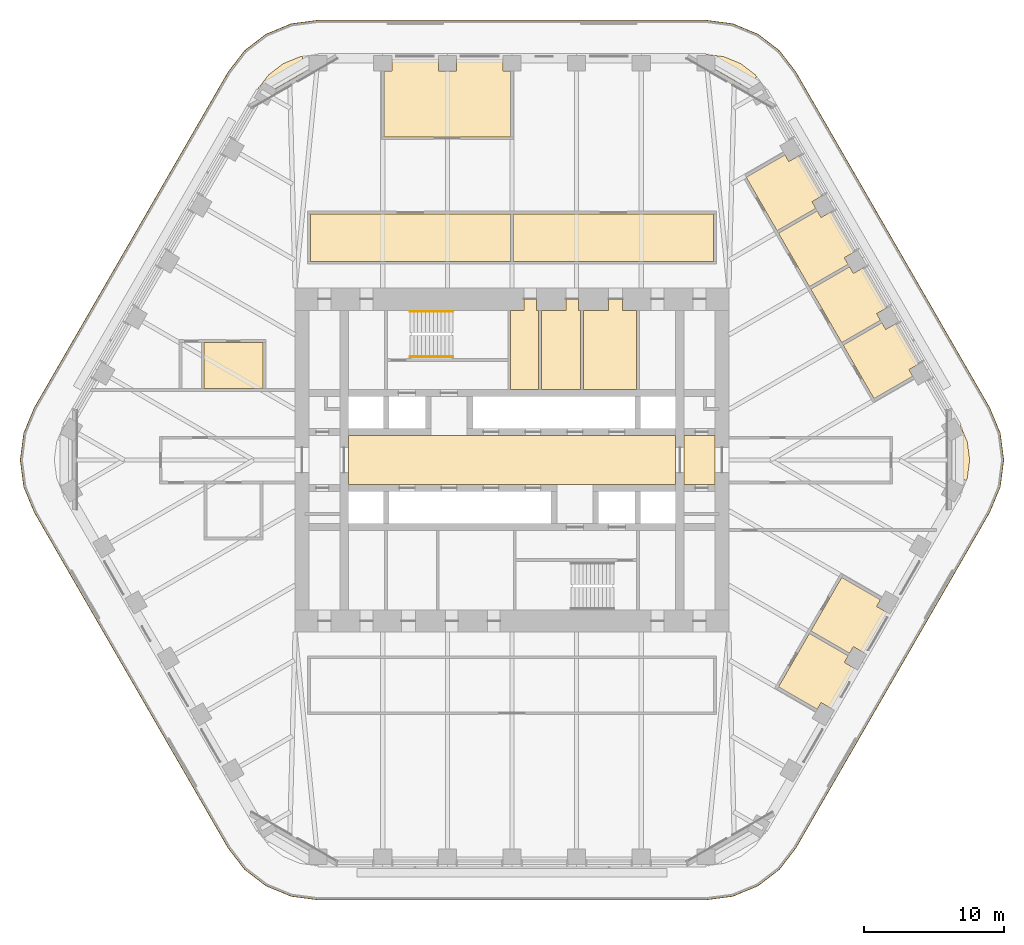
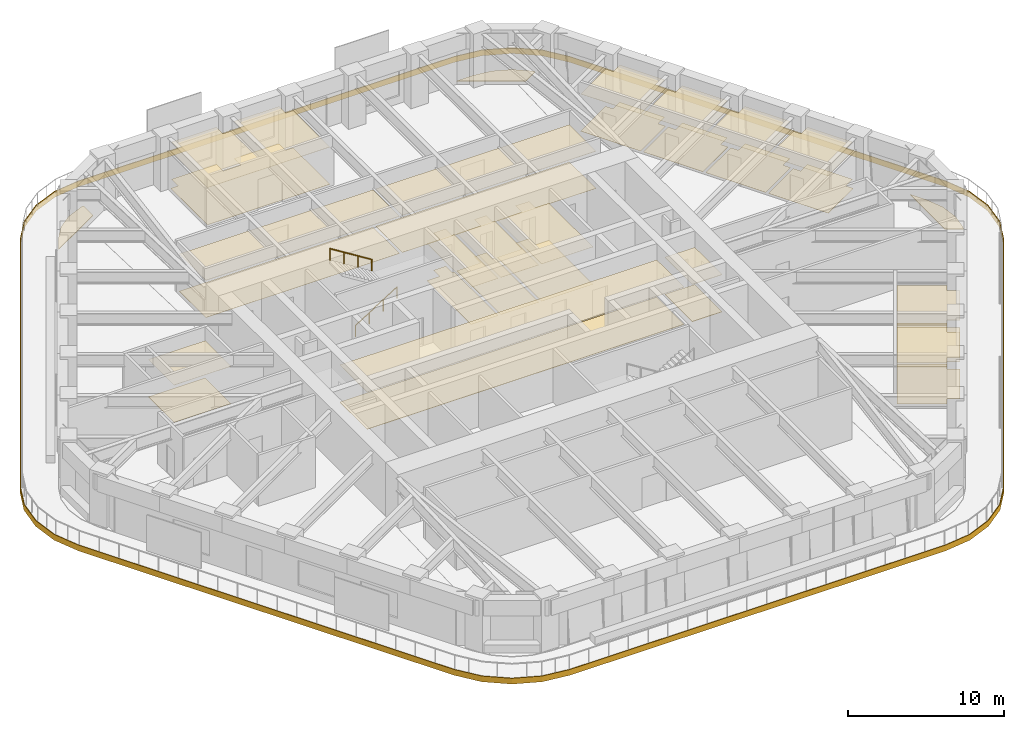
# One storey, part 19 of 20: 16 coverings, 2 railings.
"""IFC4 building model written with IfcOpenShell, lengths in metres."""

import ifcopenshell
import ifcopenshell.guid

model = None  # the IFC model being written
_history = None  # IfcOwnerHistory: only IFC2X3 demands one
_inside = {}  # id of a spatial element -> (the spatial element, [elements in it])
_under = {}  # id of a project, library or spatial element -> (it, [spatial elements below it])
_declared = {}  # id of a project -> (the project, [libraries it declares])
_typed = {}  # id of a type object -> (the type object, [elements of that type])
_made_of = {}  # id of a material, layer set ... -> (it, [elements and type objects made of it])


def new_model(schema):
    """Start an empty IFC model of exactly this schema.

    Asked for "IFC4X3", IfcOpenShell would pick the latest addendum, in which some entities
    have other attributes; the version numbers below select the first issue.
    IFC2X3 requires an IfcOwnerHistory on every rooted entity: one is made here for all.
    """
    global model, _history
    if schema == "IFC4X3":
        model = ifcopenshell.file(schema_version=(4, 3, 0, 0))
    else:
        model = ifcopenshell.file(schema=schema)
    _inside.clear()
    _under.clear()
    _declared.clear()
    _typed.clear()
    _made_of.clear()
    _history = None
    if model.schema == "IFC2X3":
        org = make("IfcOrganization", Name="unknown")
        user = make(
            "IfcPersonAndOrganization",
            ThePerson=make("IfcPerson", FamilyName="unknown"),
            TheOrganization=org,
        )
        app = make(
            "IfcApplication",
            ApplicationDeveloper=org,
            Version="unknown",
            ApplicationFullName="unknown",
            ApplicationIdentifier="unknown",
        )
        _history = make(
            "IfcOwnerHistory",
            OwningUser=user,
            OwningApplication=app,
            ChangeAction="ADDED",
            CreationDate=0,
        )
    return model


def make(cls, **values):
    """One entity of the class cls with the attributes given. An attribute that is None is left unset."""
    return model.create_entity(
        cls, **{name: value for name, value in values.items() if value is not None}
    )


def rooted(cls, **values):
    """An entity with a GlobalId (a new one), such as an element, a storey or a relation."""
    return make(cls, GlobalId=ifcopenshell.guid.new(), OwnerHistory=_history, **values)


def si_unit(unit_type, name, prefix=None):
    """IfcSIUnit, for example si_unit("LENGTHUNIT", "METRE", prefix="MILLI")."""
    return make("IfcSIUnit", UnitType=unit_type, Prefix=prefix, Name=name)


def assignment(units):
    """IfcUnitAssignment: the units of a project."""
    return None if units is None else make("IfcUnitAssignment", Units=units)


def point(xyz):
    """IfcCartesianPoint."""
    return None if xyz is None else make("IfcCartesianPoint", Coordinates=xyz)


def direction(xyz):
    """IfcDirection."""
    return None if xyz is None else make("IfcDirection", DirectionRatios=xyz)


def frame(location, z_axis=None, x_axis=None):
    """IfcAxis2Placement3D, a coordinate frame: its origin and axes. An axis left out is left unset."""
    return make(
        "IfcAxis2Placement3D",
        Location=point(location),
        Axis=direction(z_axis),
        RefDirection=direction(x_axis),
    )


def frame_2d(location, x_axis=None):
    """IfcAxis2Placement2D, a coordinate frame in the plane: its origin and x axis."""
    return make(
        "IfcAxis2Placement2D", Location=point(location), RefDirection=direction(x_axis)
    )


def origin():
    """The frame at (0, 0, 0) with its axes left unset."""
    return frame((0.0, 0.0, 0.0))


def origin_2d():
    """The frame at (0, 0) in the plane with its x axis left unset."""
    return frame_2d((0.0, 0.0))


def place(relative_to, where):
    """IfcLocalPlacement: puts the frame where relative to a parent placement (None: the world)."""
    return make(
        "IfcLocalPlacement", PlacementRelTo=relative_to, RelativePlacement=where
    )


def context(
    kind, dimensions, precision=None, world=None, true_north=None, identifier=None
):
    """IfcGeometricRepresentationContext, for example the 3D "Model" context."""
    return make(
        "IfcGeometricRepresentationContext",
        ContextIdentifier=identifier,
        ContextType=kind,
        CoordinateSpaceDimension=dimensions,
        Precision=precision,
        WorldCoordinateSystem=world,
        TrueNorth=true_north,
    )


def subcontext(parent, identifier, kind, view, scale=None):
    """IfcGeometricRepresentationSubContext, for example "Body" below "Model"."""
    return make(
        "IfcGeometricRepresentationSubContext",
        ContextIdentifier=identifier,
        ContextType=kind,
        ParentContext=parent,
        TargetScale=scale,
        TargetView=view,
    )


def project(units=None, contexts=None):
    """IfcProject with its units and contexts."""
    return rooted(
        "IfcProject",
        Name="project",
        RepresentationContexts=contexts,
        UnitsInContext=assignment(units),
    )


def spatial(cls, under=None, at=None, **own):
    """A site, building, storey or space (cls), placed at a placement, below another one or the project."""
    s = rooted(cls, ObjectPlacement=at, **own)
    if under is not None:
        _under.setdefault(under.id(), (under, []))[1].append(s)
    return s


def polyline(points):
    """IfcPolyline through the points."""
    return make("IfcPolyline", Points=[point(p) for p in points])


def profile(cls, at=None, kind="AREA", **sizes):
    """A parametric profile (cls). Its sizes go by their IFC names, for example OverallWidth=200.0."""
    return make(cls, ProfileType=kind, Position=at, **sizes)


def circle(**sizes):
    """IfcCircleProfileDef."""
    return profile("IfcCircleProfileDef", **sizes)


def outline(outer, holes=None, kind="AREA"):
    """IfcArbitraryClosedProfileDef: a profile drawn as a closed curve; with holes, ...WithVoids."""
    if holes is None:
        return make("IfcArbitraryClosedProfileDef", ProfileType=kind, OuterCurve=outer)
    return make(
        "IfcArbitraryProfileDefWithVoids",
        ProfileType=kind,
        OuterCurve=outer,
        InnerCurves=holes,
    )


def extrude(swept, where, along, depth):
    """IfcExtrudedAreaSolid: the profile swept, set in the frame where, extruded along a direction by depth."""
    return make(
        "IfcExtrudedAreaSolid",
        SweptArea=swept,
        Position=where,
        ExtrudedDirection=direction(along),
        Depth=depth,
    )


def shape(context_of_items, identifier, shape_type, items):
    """IfcShapeRepresentation: the items that make up one representation, for example the "Body"."""
    return make(
        "IfcShapeRepresentation",
        ContextOfItems=context_of_items,
        RepresentationIdentifier=identifier,
        RepresentationType=shape_type,
        Items=items,
    )


def material(Name=None, Category=None):
    """IfcMaterial."""
    return make("IfcMaterial", Name=Name, Category=Category)


def layer(
    of_material, thickness, ventilated=None, Name=None, Category=None, Priority=None
):
    """IfcMaterialLayer: one layer of a wall or slab, of a material (None: an air gap)."""
    return make(
        "IfcMaterialLayer",
        Material=of_material,
        LayerThickness=thickness,
        IsVentilated=ventilated,
        Name=Name,
        Category=Category,
        Priority=Priority,
    )


def layer_set(layers, Name=None):
    """IfcMaterialLayerSet."""
    return make("IfcMaterialLayerSet", MaterialLayers=layers, LayerSetName=Name)


def made_of(thing, what):
    """Note that an element or type object is made of a material, layer set ...; save() writes the relation."""
    if what is not None:
        _made_of.setdefault(what.id(), (what, []))[1].append(thing)
    return thing


def type_object(cls, material=None, **own):
    """A type object (cls), such as IfcWallType, which elements share."""
    return made_of(rooted(cls, **own), material)


def element(
    cls,
    number,
    at=None,
    inside=None,
    cuts=None,
    type_object=None,
    material=None,
    context=None,
    identifier="Body",
    shape_type=None,
    held_by="IfcProductDefinitionShape",
    body=None,
    shapes=None,
    **own,
):
    """One element of the class cls, such as IfcWall. Its Tag is "e" and its number.

    at: its placement. inside: the storey or other place that contains it. cuts: it is an
    opening in that element (IfcRelVoidsElement). A single representation is given by context,
    identifier, shape_type and body (its items); several are given by shapes. held_by: the class
    of the entity that holds the representations. save() writes the other relations.
    """
    e = rooted(cls, Tag="e%d" % number, ObjectPlacement=at, **own)
    if body is not None:
        shapes = [shape(context, identifier, shape_type, body)]
    if shapes is not None:
        e.Representation = make(held_by, Representations=shapes)
    if inside is not None:
        _inside.setdefault(inside.id(), (inside, []))[1].append(e)
    if cuts is not None:
        rooted(
            "IfcRelVoidsElement", RelatingBuildingElement=cuts, RelatedOpeningElement=e
        )
    if type_object is not None:
        _typed.setdefault(type_object.id(), (type_object, []))[1].append(e)
    return made_of(e, material)


def aggregate(whole, parts):
    """IfcRelAggregates: a whole, such as a stair, and the parts it consists of."""
    return rooted("IfcRelAggregates", RelatingObject=whole, RelatedObjects=parts)


def save(model, path):
    """Write the relations noted so far, then the file.

    IfcRelAggregates (storeys below a building ...), IfcRelContainedInSpatialStructure (elements
    in a storey), IfcRelDefinesByType, IfcRelAssociatesMaterial and IfcRelDeclares: one each for
    every whole, place, type object, material and project.
    """
    for whole, parts in _under.values():
        aggregate(whole, parts)
    for where, things in _inside.values():
        rooted(
            "IfcRelContainedInSpatialStructure",
            RelatedElements=things,
            RelatingStructure=where,
        )
    for kind, things in _typed.values():
        rooted("IfcRelDefinesByType", RelatedObjects=things, RelatingType=kind)
    for what, things in _made_of.values():
        rooted("IfcRelAssociatesMaterial", RelatedObjects=things, RelatingMaterial=what)
    for by, libraries in _declared.values():
        rooted("IfcRelDeclares", RelatingContext=by, RelatedDefinitions=libraries)
    model.write(path)


model = new_model("IFC4")

# Units and contexts
model_context = context("Model", 3, precision=1e-05, world=origin(), true_north=direction((0.0, 1.0)))
body_context = subcontext(model_context, "Body", "Model", "MODEL_VIEW")
ifc_project = project(units=[si_unit("LENGTHUNIT", "METRE"), si_unit("AREAUNIT", "SQUARE_METRE"), si_unit("VOLUMEUNIT", "CUBIC_METRE"), si_unit("PLANEANGLEUNIT", "RADIAN"), si_unit("MASSUNIT", "GRAM", prefix="KILO")], contexts=[model_context])

# Site, building, storey
site_placement = place(None, origin())
site = spatial("IfcSite", under=ifc_project, at=site_placement, CompositionType="ELEMENT")
building_placement = place(site_placement, origin())
building = spatial("IfcBuilding", under=site, at=building_placement, Name="Tarfa Lantern Tower", CompositionType="ELEMENT")
storey_placement = place(building_placement, frame((0.0, 0.0, 240.699951171875)))
storey = spatial("IfcBuildingStorey", under=building, at=storey_placement, Name="L54", CompositionType="ELEMENT", Elevation=240.699951171875)

# Coverings
ifc_material_1 = material(Name="Mineral fibre acoustic tile on suspension grid", Category="finish")
ifc_layer_1 = layer(ifc_material_1, 0.02001953125)
ifc_layer_set_1 = layer_set([ifc_layer_1], Name="CL1 ACOUSTIC TILE CEILING 20")
covering_type_1 = type_object("IfcCoveringType", Name="CL1 ACOUSTIC TILE CEILING 20", PredefinedType="CEILING", material=ifc_layer_set_1)
covering_1_placement = place(storey_placement, frame((0.0, 0.0, 2.900146484375)))
element("IfcCovering", 1, at=covering_1_placement, inside=storey, type_object=covering_type_1, Name="Ceiling L54 CL1", PredefinedType="CEILING", context=body_context, shape_type="SweptSolid", body=[
    extrude(outline(polyline([(-14.39990234375, 17.60009765625), (-0.10009765625, 17.60009765625), (-0.10009765625, 14.199951171875), (-14.39990234375, 14.199951171875), (-14.39990234375, 17.60009765625)])), origin(), (0.0, 0.0, 1.0), 0.02001953125),
    extrude(outline(polyline([(0.10009765625, 17.60009765625), (14.39990234375, 17.60009765625), (14.39990234375, 14.199951171875), (0.10009765625, 14.199951171875), (0.10009765625, 17.60009765625)])), origin(), (0.0, 0.0, 1.0), 0.02001953125),
    extrude(outline(polyline([(-0.10009765625, 23.10009765625), (-9.1376953125, 23.10009765625), (-9.1376953125, 27.800048828125), (-8.587646484375, 27.800048828125), (-8.587646484375, 28.64990234375), (-5.268798828125, 28.64990234375), (-5.268798828125, 27.800048828125), (-3.96875, 27.800048828125), (-3.96875, 28.64990234375), (-0.64990234375, 28.64990234375), (-0.64990234375, 27.800048828125), (-0.10009765625, 27.800048828125), (-0.10009765625, 23.10009765625)])), origin(), (0.0, 0.0, 1.0), 0.02001953125),
    extrude(outline(polyline([(23.66357421875, 8.21337890625), (26.434814453125, 9.8134765625), (26.7099609375, 9.337158203125), (27.446044921875, 9.761962890625), (29.10546875, 6.887939453125), (28.369384765625, 6.462890625), (28.644287109375, 5.986572265625), (25.873046875, 4.38671875), (23.66357421875, 8.21337890625)])), origin(), (0.0, 0.0, 1.0), 0.02001953125),
    extrude(outline(polyline([(21.354248046875, 12.21337890625), (24.12548828125, 13.8134765625), (24.400390625, 13.337158203125), (25.13671875, 13.761962890625), (26.796142578125, 10.887939453125), (26.059814453125, 10.462890625), (26.3349609375, 9.986572265625), (23.563720703125, 8.38671875), (21.354248046875, 12.21337890625)])), origin(), (0.0, 0.0, 1.0), 0.02001953125),
    extrude(outline(polyline([(19.044921875, 16.21337890625), (21.816162109375, 17.8134765625), (22.091064453125, 17.337158203125), (22.8271484375, 17.761962890625), (24.486572265625, 14.887939453125), (23.75048828125, 14.462890625), (24.025390625, 13.986572265625), (21.254150390625, 12.38671875), (19.044921875, 16.21337890625)])), origin(), (0.0, 0.0, 1.0), 0.02001953125),
    extrude(outline(polyline([(16.7353515625, 20.21337890625), (19.506591796875, 21.8134765625), (19.78173828125, 21.337158203125), (20.517822265625, 21.761962890625), (22.17724609375, 18.887939453125), (21.441162109375, 18.462890625), (21.716064453125, 17.986572265625), (18.94482421875, 16.38671875), (16.7353515625, 20.21337890625)])), origin(), (0.0, 0.0, 1.0), 0.02001953125),
    extrude(outline(polyline([(21.254150390625, -12.38671875), (24.025390625, -13.986572265625), (23.75048828125, -14.462890625), (24.486572265625, -14.887939453125), (22.8271484375, -17.761962890625), (22.091064453125, -17.337158203125), (21.816162109375, -17.8134765625), (19.044921875, -16.21337890625), (21.254150390625, -12.38671875)])), origin(), (0.0, 0.0, 1.0), 0.02001953125),
    extrude(outline(polyline([(23.563720703125, -8.38671875), (26.3349609375, -9.986572265625), (26.059814453125, -10.462890625), (26.796142578125, -10.887939453125), (25.13671875, -13.761962890625), (24.400390625, -13.337158203125), (24.12548828125, -13.8134765625), (21.354248046875, -12.21337890625), (23.563720703125, -8.38671875)])), origin(), (0.0, 0.0, 1.0), 0.02001953125),
    extrude(outline(polyline([(-21.995849609375, 8.39990234375), (-17.7958984375, 8.39990234375), (-17.7958984375, 5.10009765625), (-21.995849609375, 5.10009765625), (-21.995849609375, 8.39990234375)])), origin(), (0.0, 0.0, 1.0), 0.02001953125),
])
ifc_material_2 = material(Name="Moisture-resistant plasterboard", Category="finish")
ifc_layer_2 = layer(ifc_material_2, 0.014892578125)
ifc_layer_set_2 = layer_set([ifc_layer_2], Name="CL2 MOISTURE-RESISTANT PLASTERBOARD CEILING 15")
covering_type_2 = type_object("IfcCoveringType", Name="CL2 MOISTURE-RESISTANT PLASTERBOARD CEILING 15", PredefinedType="CEILING", material=ifc_layer_set_2)
covering_2_placement = place(storey_placement, frame((0.0, 0.0, 2.900146484375)))
element("IfcCovering", 2, at=covering_2_placement, inside=storey, type_object=covering_type_2, Name="Ceiling L54-07", PredefinedType="CEILING", context=body_context, shape_type="SweptSolid", body=[
    extrude(outline(polyline([(0.85009765625, 10.699951171875), (-0.10009765625, 10.699951171875), (-0.10009765625, 5.050048828125), (1.89990234375, 5.050048828125), (1.89990234375, 10.699951171875), (1.75, 10.699951171875), (1.75, 11.5), (1.75, 11.5), (0.85009765625, 11.5), (0.85009765625, 10.699951171875)])), origin(), (0.0, 0.0, 1.0), 0.014892578125),
])
covering_3_placement = place(storey_placement, frame((0.0, 0.0, 2.900146484375)))
element("IfcCovering", 3, at=covering_3_placement, inside=storey, type_object=covering_type_2, Name="Ceiling L54-08", PredefinedType="CEILING", context=body_context, shape_type="SweptSolid", body=[
    extrude(outline(polyline([(2.10009765625, 5.050048828125), (4.89990234375, 5.050048828125), (4.89990234375, 10.699951171875), (4.75, 10.699951171875), (4.75, 11.5), (3.85009765625, 11.5), (3.85009765625, 10.699951171875), (2.10009765625, 10.699951171875), (2.10009765625, 5.050048828125)])), origin(), (0.0, 0.0, 1.0), 0.014892578125),
])
covering_4_placement = place(storey_placement, frame((0.0, 0.0, 2.900146484375)))
element("IfcCovering", 4, at=covering_4_placement, inside=storey, type_object=covering_type_2, Name="Ceiling L54-09", PredefinedType="CEILING", context=body_context, shape_type="SweptSolid", body=[
    extrude(outline(polyline([(5.10009765625, 5.050048828125), (8.89990234375, 5.050048828125), (8.89990234375, 10.699951171875), (7.89990234375, 10.699951171875), (7.89990234375, 11.5), (6.89990234375, 11.5), (6.89990234375, 10.699951171875), (5.10009765625, 10.699951171875), (5.10009765625, 5.050048828125)])), origin(), (0.0, 0.0, 1.0), 0.014892578125),
])
ifc_material_3 = material(Name="Powder-coated aluminium panel", Category="aluminium")
ifc_layer_3 = layer(ifc_material_3, 0.030029296875)
ifc_layer_set_3 = layer_set([ifc_layer_3], Name="CL3 METAL PANEL CEILING 30")
covering_type_3 = type_object("IfcCoveringType", Name="CL3 METAL PANEL CEILING 30", PredefinedType="CEILING", material=ifc_layer_set_3)
covering_5_placement = place(storey_placement, frame((0.0, 0.0, 2.900146484375)))
element("IfcCovering", 5, at=covering_5_placement, inside=storey, type_object=covering_type_3, Name="Ceiling L54-02", PredefinedType="CEILING", context=body_context, shape_type="SweptSolid", body=[
    extrude(outline(polyline([(-11.699951171875, -1.75), (11.699951171875, -1.75), (11.699951171875, 1.75), (-11.699951171875, 1.75), (-11.699951171875, -1.75)])), origin(), (0.0, 0.0, 1.0), 0.02978515625),
])
covering_6_placement = place(storey_placement, frame((0.0, 0.0, 2.900146484375)))
element("IfcCovering", 6, at=covering_6_placement, inside=storey, type_object=covering_type_3, Name="Ceiling L54-03", PredefinedType="CEILING", context=body_context, shape_type="SweptSolid", body=[
    extrude(outline(polyline([(12.300048828125, -1.75), (14.5, -1.75), (14.5, 1.75), (12.300048828125, 1.75), (12.300048828125, -1.75)])), origin(), (0.0, 0.0, 1.0), 0.02978515625),
])
ifc_material_4 = material(Name="Nylon carpet tile", Category="finish")
ifc_layer_4 = layer(ifc_material_4, 0.010009765625)
ifc_layer_set_4 = layer_set([ifc_layer_4], Name="FL1 CARPET TILE 10")
covering_type_4 = type_object("IfcCoveringType", Name="FL1 CARPET TILE 10", PredefinedType="FLOORING", material=ifc_layer_set_4)
covering_7_placement = place(storey_placement, origin())
element("IfcCovering", 7, at=covering_7_placement, inside=storey, type_object=covering_type_4, Name="Floor finish L54 FL1", PredefinedType="FLOORING", context=body_context, shape_type="SweptSolid", body=[
    extrude(outline(polyline([(-14.39990234375, 17.60009765625), (-0.10009765625, 17.60009765625), (-0.10009765625, 14.199951171875), (-14.39990234375, 14.199951171875), (-14.39990234375, 17.60009765625)])), origin(), (0.0, 0.0, 1.0), 0.010009765625),
    extrude(outline(polyline([(0.10009765625, 17.60009765625), (14.39990234375, 17.60009765625), (14.39990234375, 14.199951171875), (0.10009765625, 14.199951171875), (0.10009765625, 17.60009765625)])), origin(), (0.0, 0.0, 1.0), 0.010009765625),
    extrude(outline(polyline([(-0.10009765625, 23.10009765625), (-9.1376953125, 23.10009765625), (-9.1376953125, 27.800048828125), (-8.587646484375, 27.800048828125), (-8.587646484375, 28.64990234375), (-5.268798828125, 28.64990234375), (-5.268798828125, 27.800048828125), (-3.96875, 27.800048828125), (-3.96875, 28.64990234375), (-0.64990234375, 28.64990234375), (-0.64990234375, 27.800048828125), (-0.10009765625, 27.800048828125), (-0.10009765625, 23.10009765625)])), origin(), (0.0, 0.0, 1.0), 0.010009765625),
    extrude(outline(polyline([(23.66357421875, 8.21337890625), (26.434814453125, 9.8134765625), (26.7099609375, 9.337158203125), (27.446044921875, 9.761962890625), (29.10546875, 6.887939453125), (28.369384765625, 6.462890625), (28.644287109375, 5.986572265625), (25.873046875, 4.38671875), (23.66357421875, 8.21337890625)])), origin(), (0.0, 0.0, 1.0), 0.010009765625),
    extrude(outline(polyline([(21.354248046875, 12.21337890625), (24.12548828125, 13.8134765625), (24.400390625, 13.337158203125), (25.13671875, 13.761962890625), (26.796142578125, 10.887939453125), (26.059814453125, 10.462890625), (26.3349609375, 9.986572265625), (23.563720703125, 8.38671875), (21.354248046875, 12.21337890625)])), origin(), (0.0, 0.0, 1.0), 0.010009765625),
    extrude(outline(polyline([(19.044921875, 16.21337890625), (21.816162109375, 17.8134765625), (22.091064453125, 17.337158203125), (22.8271484375, 17.761962890625), (24.486572265625, 14.887939453125), (23.75048828125, 14.462890625), (24.025390625, 13.986572265625), (21.254150390625, 12.38671875), (19.044921875, 16.21337890625)])), origin(), (0.0, 0.0, 1.0), 0.010009765625),
    extrude(outline(polyline([(16.7353515625, 20.21337890625), (19.506591796875, 21.8134765625), (19.78173828125, 21.337158203125), (20.517822265625, 21.761962890625), (22.17724609375, 18.887939453125), (21.441162109375, 18.462890625), (21.716064453125, 17.986572265625), (18.94482421875, 16.38671875), (16.7353515625, 20.21337890625)])), origin(), (0.0, 0.0, 1.0), 0.010009765625),
    extrude(outline(polyline([(21.254150390625, -12.38671875), (24.025390625, -13.986572265625), (23.75048828125, -14.462890625), (24.486572265625, -14.887939453125), (22.8271484375, -17.761962890625), (22.091064453125, -17.337158203125), (21.816162109375, -17.8134765625), (19.044921875, -16.21337890625), (21.254150390625, -12.38671875)])), origin(), (0.0, 0.0, 1.0), 0.010009765625),
    extrude(outline(polyline([(23.563720703125, -8.38671875), (26.3349609375, -9.986572265625), (26.059814453125, -10.462890625), (26.796142578125, -10.887939453125), (25.13671875, -13.761962890625), (24.400390625, -13.337158203125), (24.12548828125, -13.8134765625), (21.354248046875, -12.21337890625), (23.563720703125, -8.38671875)])), origin(), (0.0, 0.0, 1.0), 0.010009765625),
    extrude(outline(polyline([(-21.995849609375, 8.39990234375), (-17.7958984375, 8.39990234375), (-17.7958984375, 5.10009765625), (-21.995849609375, 5.10009765625), (-21.995849609375, 8.39990234375)])), origin(), (0.0, 0.0, 1.0), 0.010009765625),
])
ifc_material_5 = material(Name="Honed limestone flooring", Category="masonry")
ifc_layer_5 = layer(ifc_material_5, 0.030029296875)
ifc_layer_set_5 = layer_set([ifc_layer_5], Name="FL2 STONE FLOORING 30")
covering_type_5 = type_object("IfcCoveringType", Name="FL2 STONE FLOORING 30", PredefinedType="FLOORING", material=ifc_layer_set_5)
covering_8_placement = place(storey_placement, origin())
element("IfcCovering", 8, at=covering_8_placement, inside=storey, type_object=covering_type_5, Name="Floor finish L54-02", PredefinedType="FLOORING", context=body_context, shape_type="SweptSolid", body=[
    extrude(outline(polyline([(-11.699951171875, -1.75), (11.699951171875, -1.75), (11.699951171875, 1.75), (-11.699951171875, 1.75), (-11.699951171875, -1.75)])), origin(), (0.0, 0.0, 1.0), 0.030029296875),
])
covering_9_placement = place(storey_placement, origin())
element("IfcCovering", 9, at=covering_9_placement, inside=storey, type_object=covering_type_5, Name="Floor finish L54-03", PredefinedType="FLOORING", context=body_context, shape_type="SweptSolid", body=[
    extrude(outline(polyline([(12.300048828125, -1.75), (14.5, -1.75), (14.5, 1.75), (12.300048828125, 1.75), (12.300048828125, -1.75)])), origin(), (0.0, 0.0, 1.0), 0.030029296875),
])
ifc_material_6 = material(Name="Porcelain floor tile", Category="finish")
ifc_layer_6 = layer(ifc_material_6, 0.011962890625)
ifc_layer_set_6 = layer_set([ifc_layer_6], Name="FL3 CERAMIC TILE 12")
covering_type_6 = type_object("IfcCoveringType", Name="FL3 CERAMIC TILE 12", PredefinedType="FLOORING", material=ifc_layer_set_6)
covering_10_placement = place(storey_placement, origin())
element("IfcCovering", 10, at=covering_10_placement, inside=storey, type_object=covering_type_6, Name="Floor finish L54-07", PredefinedType="FLOORING", context=body_context, shape_type="SweptSolid", body=[
    extrude(outline(polyline([(0.85009765625, 10.699951171875), (-0.10009765625, 10.699951171875), (-0.10009765625, 5.050048828125), (1.89990234375, 5.050048828125), (1.89990234375, 10.699951171875), (1.75, 10.699951171875), (1.75, 11.5), (1.75, 11.5), (0.85009765625, 11.5), (0.85009765625, 10.699951171875)])), origin(), (0.0, 0.0, 1.0), 0.011962890625),
])
covering_11_placement = place(storey_placement, origin())
element("IfcCovering", 11, at=covering_11_placement, inside=storey, type_object=covering_type_6, Name="Floor finish L54-08", PredefinedType="FLOORING", context=body_context, shape_type="SweptSolid", body=[
    extrude(outline(polyline([(2.10009765625, 5.050048828125), (4.89990234375, 5.050048828125), (4.89990234375, 10.699951171875), (4.75, 10.699951171875), (4.75, 11.5), (3.85009765625, 11.5), (3.85009765625, 10.699951171875), (2.10009765625, 10.699951171875), (2.10009765625, 5.050048828125)])), origin(), (0.0, 0.0, 1.0), 0.011962890625),
])
covering_12_placement = place(storey_placement, origin())
element("IfcCovering", 12, at=covering_12_placement, inside=storey, type_object=covering_type_6, Name="Floor finish L54-09", PredefinedType="FLOORING", context=body_context, shape_type="SweptSolid", body=[
    extrude(outline(polyline([(5.10009765625, 5.050048828125), (8.89990234375, 5.050048828125), (8.89990234375, 10.699951171875), (7.89990234375, 10.699951171875), (7.89990234375, 11.5), (6.89990234375, 11.5), (6.89990234375, 10.699951171875), (5.10009765625, 10.699951171875), (5.10009765625, 5.050048828125)])), origin(), (0.0, 0.0, 1.0), 0.011962890625),
])

# Railings
ifc_material_7 = material(Name="Stainless steel", Category="steel")
railing_type = type_object("IfcRailingType", Name="HR1 HANDRAIL 900", PredefinedType="HANDRAIL", material=ifc_material_7)
railing_1_placement = place(storey_placement, frame((-7.300048828125, 7.3798828125, 0.175048828125)))
element("IfcRailing", 13, at=railing_1_placement, inside=storey, type_object=railing_type, Name="Handrail 1", PredefinedType="HANDRAIL", context=body_context, shape_type="SweptSolid", body=[
    extrude(circle(Radius=0.02392578125, at=origin_2d()), frame((0.0, 0.0, 0.8759765625), z_axis=(0.847998304005, 0.0, 0.529998940003), x_axis=(0.0, 1.0, 0.0)), (0.0, 0.0, 1.0), 3.632080078125),
    extrude(circle(Radius=0.02099609375, at=origin_2d()), frame((0.0, 0.0, 0.0), z_axis=(0.0, 0.0, 1.0), x_axis=(0.0, 1.0, 0.0)), (0.0, 0.0, 1.0), 0.851806640625),
    extrude(circle(Radius=0.02099609375, at=origin_2d()), frame((1.026611328125, 0.0, 0.6416015625), z_axis=(0.0, 0.0, 1.0), x_axis=(0.0, 1.0, 0.0)), (0.0, 0.0, 1.0), 0.851806640625),
    extrude(circle(Radius=0.02099609375, at=origin_2d()), frame((2.053466796875, 0.0, 1.283447265625), z_axis=(0.0, 0.0, 1.0), x_axis=(0.0, 1.0, 0.0)), (0.0, 0.0, 1.0), 0.851806640625),
    extrude(circle(Radius=0.02099609375, at=origin_2d()), frame((3.080078125, 0.0, 1.925048828125), z_axis=(0.0, 0.0, 1.0), x_axis=(0.0, 1.0, 0.0)), (0.0, 0.0, 1.0), 0.851806640625),
])
railing_2_placement = place(storey_placement, frame((-4.219970703125, 10.6201171875, 2.275146484375)))
element("IfcRailing", 14, at=railing_2_placement, inside=storey, type_object=railing_type, Name="Handrail 2", PredefinedType="HANDRAIL", context=body_context, shape_type="SweptSolid", body=[
    extrude(circle(Radius=0.02392578125, at=origin_2d()), frame((0.0, 0.0, 0.8759765625), z_axis=(-0.848028513186, 0.0, 0.529950602248), x_axis=(0.0, -1.0, 0.0)), (0.0, 0.0, 1.0), 3.632080078125),
    extrude(circle(Radius=0.02099609375, at=origin_2d()), frame((0.0, 0.0, 0.0), z_axis=(0.0, 0.0, 1.0), x_axis=(0.0, -1.0, 0.0)), (0.0, 0.0, 1.0), 0.851806640625),
    extrude(circle(Radius=0.02099609375, at=origin_2d()), frame((-1.026611328125, 0.0, 0.6416015625), z_axis=(0.0, 0.0, 1.0), x_axis=(0.0, -1.0, 0.0)), (0.0, 0.0, 1.0), 0.851806640625),
    extrude(circle(Radius=0.02099609375, at=origin_2d()), frame((-2.053466796875, 0.0, 1.283203125), z_axis=(0.0, 0.0, 1.0), x_axis=(0.0, -1.0, 0.0)), (0.0, 0.0, 1.0), 0.851806640625),
    extrude(circle(Radius=0.02099609375, at=origin_2d()), frame((-3.080078125, 0.0, 1.9248046875), z_axis=(0.0, 0.0, 1.0), x_axis=(0.0, -1.0, 0.0)), (0.0, 0.0, 1.0), 0.851806640625),
])

# Coverings
ifc_material_8 = material(Name="Porcelain pavers on pedestals", Category="ceramic")
ifc_layer_7 = layer(ifc_material_8, 0.0400390625)
ifc_layer_set_7 = layer_set([ifc_layer_7], Name="LP1 LOGGIA PAVING 40")
covering_type_7 = type_object("IfcCoveringType", Name="LP1 LOGGIA PAVING 40", PredefinedType="FLOORING", material=ifc_layer_set_7)
covering_13_placement = place(storey_placement, origin())
element("IfcCovering", 15, at=covering_13_placement, inside=storey, type_object=covering_type_7, Name="Sky garden paving NE-N", PredefinedType="FLOORING", context=body_context, shape_type="SweptSolid", body=[
    extrude(outline(polyline([(15.150390625, 28.82958984375), (16.3564453125, 28.330078125), (17.391845703125, 27.53564453125), (17.51123046875, 27.380126953125), (16.4765625, 26.782958984375), (12.641357421875, 28.997314453125), (12.64306640625, 29.0), (13.8564453125, 29.0), (15.150390625, 28.82958984375)])), origin(), (0.0, 0.0, 1.0), 0.0400390625),
])
covering_14_placement = place(storey_placement, origin())
element("IfcCovering", 16, at=covering_14_placement, inside=storey, type_object=covering_type_7, Name="Sky garden paving N-NW", PredefinedType="FLOORING", context=body_context, shape_type="SweptSolid", body=[
    extrude(outline(polyline([(-17.391845703125, 27.53564453125), (-16.3564453125, 28.330078125), (-15.150390625, 28.82958984375), (-14.956298828125, 28.855224609375), (-14.956298828125, 27.66064453125), (-18.791748046875, 25.4462890625), (-18.793212890625, 25.44921875), (-18.1865234375, 26.5), (-17.391845703125, 27.53564453125)])), origin(), (0.0, 0.0, 1.0), 0.0400390625),
])
covering_15_placement = place(storey_placement, origin())
element("IfcCovering", 17, at=covering_15_placement, inside=storey, type_object=covering_type_7, Name="Sky garden paving SE-NE", PredefinedType="FLOORING", context=body_context, shape_type="SweptSolid", body=[
    extrude(outline(polyline([(32.54248046875, 1.294189453125), (32.712890625, 0.0), (32.54248046875, -1.294189453125), (32.467529296875, -1.474853515625), (31.43310546875, -0.877685546875), (31.43310546875, 3.55078125), (31.436279296875, 3.55078125), (32.04296875, 2.5), (32.54248046875, 1.294189453125)])), origin(), (0.0, 0.0, 1.0), 0.0400390625),
])
ifc_material_9 = material(Name="Limestone cladding on brackets", Category="masonry")
ifc_layer_8 = layer(ifc_material_9, 0.050048828125)
ifc_layer_set_8 = layer_set([ifc_layer_8], Name="SB1 STONE BAND CLADDING 50")
covering_type_8 = type_object("IfcCoveringType", Name="SB1 STONE BAND CLADDING 50", PredefinedType="CLADDING", material=ifc_layer_set_8)
covering_16_placement = place(storey_placement, frame((0.0, 0.0, -0.39990234375)))
element("IfcCovering", 18, at=covering_16_placement, inside=storey, type_object=covering_type_8, Name="Stone band", PredefinedType="CLADDING", context=body_context, shape_type="SweptSolid", body=[
    extrude(outline(polyline([(34.164794921875, 3.72509765625), (20.308349609375, 27.72509765625), (19.124267578125, 29.26806640625), (17.581298828125, 30.451904296875), (15.78466796875, 31.196044921875), (13.8564453125, 31.449951171875), (-13.8564453125, 31.449951171875), (-15.78466796875, 31.196044921875), (-17.581298828125, 30.451904296875), (-19.124267578125, 29.26806640625), (-20.308349609375, 27.72509765625), (-34.164794921875, 3.72509765625), (-34.908935546875, 1.92822265625), (-35.162841796875, 0.0), (-34.908935546875, -1.92822265625), (-34.164794921875, -3.72509765625), (-20.308349609375, -27.72509765625), (-19.124267578125, -29.26806640625), (-17.581298828125, -30.451904296875), (-15.78466796875, -31.196044921875), (-13.8564453125, -31.449951171875), (13.8564453125, -31.449951171875), (15.78466796875, -31.196044921875), (17.581298828125, -30.451904296875), (19.124267578125, -29.26806640625), (20.308349609375, -27.72509765625), (34.164794921875, -3.72509765625), (34.908935546875, -1.92822265625), (35.162841796875, 0.0), (34.908935546875, 1.92822265625), (34.164794921875, 3.72509765625)]), holes=[polyline([(34.121337890625, 3.699951171875), (20.264892578125, 27.699951171875), (19.089111328125, 29.232666015625), (17.556396484375, 30.40869140625), (15.771728515625, 31.14794921875), (13.8564453125, 31.39990234375), (-13.8564453125, 31.39990234375), (-15.771728515625, 31.14794921875), (-17.556396484375, 30.40869140625), (-19.089111328125, 29.232666015625), (-20.264892578125, 27.699951171875), (-34.121337890625, 3.699951171875), (-34.860595703125, 1.915283203125), (-35.11279296875, 0.0), (-34.860595703125, -1.915283203125), (-34.121337890625, -3.699951171875), (-20.264892578125, -27.699951171875), (-19.089111328125, -29.232666015625), (-17.556396484375, -30.40869140625), (-15.771728515625, -31.14794921875), (-13.8564453125, -31.39990234375), (13.8564453125, -31.39990234375), (15.771728515625, -31.14794921875), (17.556396484375, -30.40869140625), (19.089111328125, -29.232666015625), (20.264892578125, -27.699951171875), (34.121337890625, -3.699951171875), (34.860595703125, -1.915283203125), (35.11279296875, 0.0), (34.860595703125, 1.915283203125), (34.121337890625, 3.699951171875)])]), origin(), (0.0, 0.0, 1.0), 0.449951171875),
])

save(model, "model.ifc")
